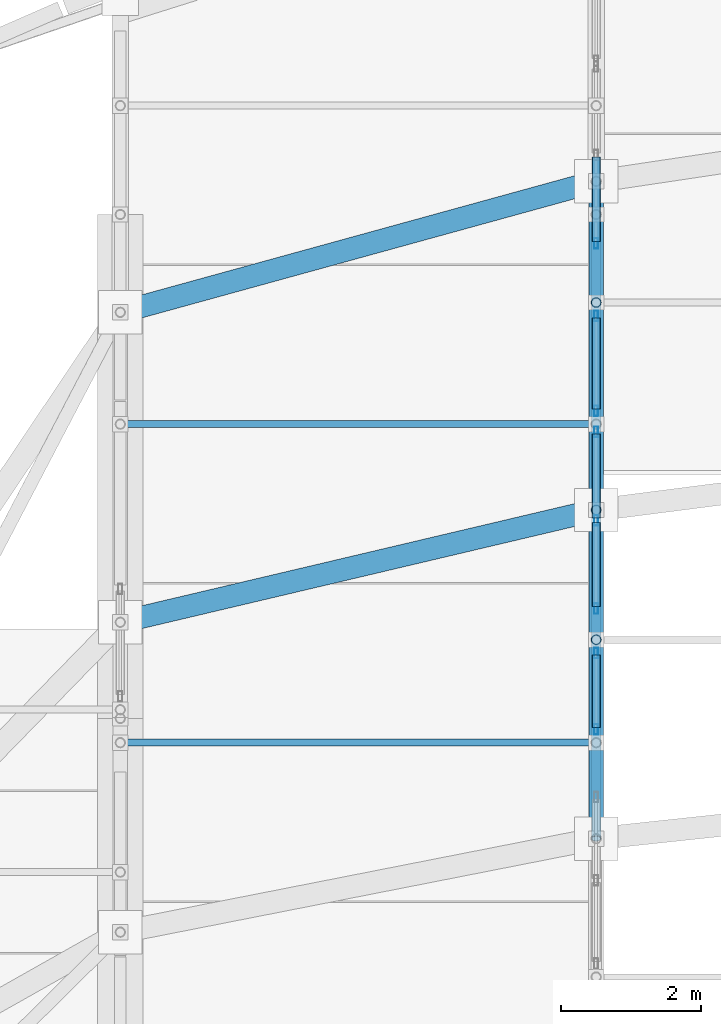
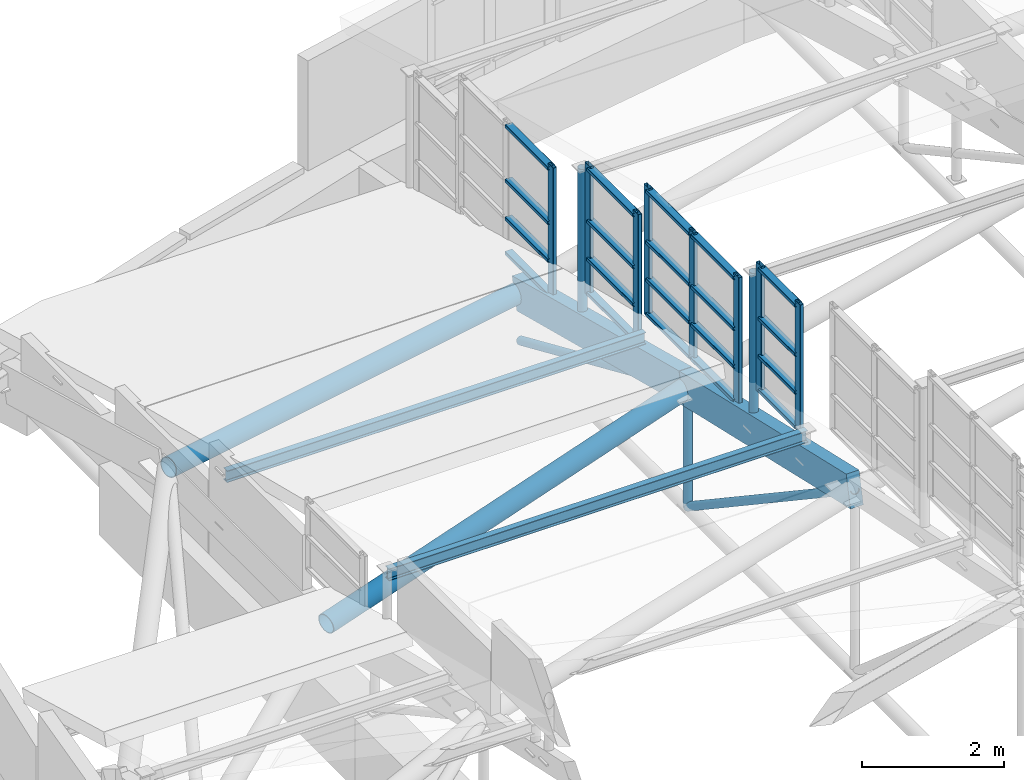
# One storey, part 87 of 188: 39 members, 4 elements without a shape of their own.
"""IFC4 building model written with IfcOpenShell, lengths in metres."""

from ifc_helpers import new_model, si_unit, direction, frame, origin, origin_2d, place, context, subcontext, project, spatial, rectangle, hollow_rectangle, hollow_circle, i_section, extrude, material, layer, layer_set, material_profile, profile_set, type_object, element, aggregate, save


model = new_model("IFC4")

# Units and contexts
model_context = context("Model", 3, precision=1e-05, world=origin(), true_north=direction((0.0, 1.0)))
body_context = subcontext(model_context, "Body", "Model", "MODEL_VIEW")
ifc_project = project(units=[si_unit("LENGTHUNIT", "METRE"), si_unit("AREAUNIT", "SQUARE_METRE"), si_unit("VOLUMEUNIT", "CUBIC_METRE"), si_unit("PLANEANGLEUNIT", "RADIAN"), si_unit("MASSUNIT", "GRAM", prefix="KILO")], contexts=[model_context])

# Site, building, storey
site_placement = place(None, origin())
site = spatial("IfcSite", under=ifc_project, at=site_placement, CompositionType="ELEMENT")
building_placement = place(site_placement, origin())
building = spatial("IfcBuilding", under=site, at=building_placement, Name="Kisaragi Civic Commons", CompositionType="ELEMENT")
storey_placement = place(building_placement, frame((0.0, 0.0, 9.60009765625)))
storey = spatial("IfcBuildingStorey", under=building, at=storey_placement, Name="L02", CompositionType="ELEMENT", Elevation=9.60009765625)

# Curtain wall, members
ifc_material_1 = material(Name="Thermally broken anodized aluminium and low-E double glazing", Category="aluminium")
ifc_layer = layer(ifc_material_1, 0.14990234375, Name="Thermally broken anodized aluminium and low-E double glazing", Category="aluminium")
ifc_layer_set = layer_set([ifc_layer], Name="Thermally broken anodized aluminium and low-E double glazing")
curtain_wall_type = type_object("IfcCurtainWallType", Name="CW-03", PredefinedType="NOTDEFINED", material=ifc_layer_set)
curtain_wall_1_placement = place(storey_placement, origin())
curtain_wall_1 = element("IfcCurtainWall", 1, at=curtain_wall_1_placement, inside=storey, type_object=curtain_wall_type, Name="L02 curtain wall CW-03 CW-CL-V2-188", PredefinedType="NOTDEFINED")
ifc_material_profile_1 = material_profile(ifc_material_1, hollow_rectangle(XDim=0.06005859375, YDim=0.14990234375, WallThickness=0.00390625, InnerFilletRadius=0.00390625, OuterFilletRadius=0.008056640625, at=origin_2d()), Name="CWM-60x150x4", Category="aluminium")
ifc_profile_set_1 = profile_set([ifc_material_profile_1], Name="Thermally broken anodized aluminium and low-E double glazing")
member_type_1 = type_object("IfcMemberType", Name="CWM-01", PredefinedType="MULLION", material=ifc_profile_set_1)
member_1_placement = place(storey_placement, frame((13.60009765625, 104.242431640625, 2.503173828125), z_axis=(0.0, 0.0, 1.0), x_axis=(-1.0, 0.0, 0.0)))
member_1 = element("IfcMember", 2, at=member_1_placement, type_object=member_type_1, Name="CW-03 mullion 1", PredefinedType="MULLION", context=body_context, shape_type="SweptSolid", body=[
    extrude(hollow_rectangle(XDim=0.06005859375, YDim=0.14990234375, WallThickness=0.00390625, InnerFilletRadius=0.00390625, OuterFilletRadius=0.008056640625, at=origin_2d()), origin(), (0.0, 0.0, 1.0), 2.206787109375),
])
member_2_placement = place(storey_placement, frame((13.60009765625, 105.333251953125, 2.503173828125), z_axis=(0.0, 0.0, 1.0), x_axis=(-1.0, 0.0, 0.0)))
member_2 = element("IfcMember", 3, at=member_2_placement, type_object=member_type_1, Name="CW-03 mullion 2", PredefinedType="MULLION", context=body_context, shape_type="SweptSolid", body=[
    extrude(hollow_rectangle(XDim=0.06005859375, YDim=0.14990234375, WallThickness=0.00390625, InnerFilletRadius=0.00390625, OuterFilletRadius=0.008056640625, at=origin_2d()), origin(), (0.0, 0.0, 1.0), 2.206787109375),
])

curtain_wall_2_placement = place(storey_placement, origin())
curtain_wall_2 = element("IfcCurtainWall", 4, at=curtain_wall_2_placement, inside=storey, type_object=curtain_wall_type, Name="L02 curtain wall CW-03 CW-CL-V2-189", PredefinedType="NOTDEFINED")
member_3_placement = place(storey_placement, frame((13.60009765625, 105.9677734375, 1.899658203125), z_axis=(0.0, 0.0, 1.0), x_axis=(-1.0, 0.0, 0.0)))
member_3 = element("IfcMember", 5, at=member_3_placement, type_object=member_type_1, Name="CW-03 mullion 1", PredefinedType="MULLION", context=body_context, shape_type="SweptSolid", body=[
    extrude(hollow_rectangle(XDim=0.06005859375, YDim=0.14990234375, WallThickness=0.00390625, InnerFilletRadius=0.00390625, OuterFilletRadius=0.008056640625, at=origin_2d()), origin(), (0.0, 0.0, 1.0), 2.23193359375),
])
member_4_placement = place(storey_placement, frame((13.60009765625, 107.23046875, 1.899658203125), z_axis=(0.0, 0.0, 1.0), x_axis=(-1.0, 0.0, 0.0)))
member_4 = element("IfcMember", 6, at=member_4_placement, type_object=member_type_1, Name="CW-03 mullion 2", PredefinedType="MULLION", context=body_context, shape_type="SweptSolid", body=[
    extrude(hollow_rectangle(XDim=0.06005859375, YDim=0.14990234375, WallThickness=0.00390625, InnerFilletRadius=0.00390625, OuterFilletRadius=0.008056640625, at=origin_2d()), origin(), (0.0, 0.0, 1.0), 2.23193359375),
])
member_5_placement = place(storey_placement, frame((13.60009765625, 108.493408203125, 1.899658203125), z_axis=(0.0, 0.0, 1.0), x_axis=(-1.0, 0.0, 0.0)))
member_5 = element("IfcMember", 7, at=member_5_placement, type_object=member_type_1, Name="CW-03 mullion 3", PredefinedType="MULLION", context=body_context, shape_type="SweptSolid", body=[
    extrude(hollow_rectangle(XDim=0.06005859375, YDim=0.14990234375, WallThickness=0.00390625, InnerFilletRadius=0.00390625, OuterFilletRadius=0.008056640625, at=origin_2d()), origin(), (0.0, 0.0, 1.0), 2.23193359375),
])

curtain_wall_3_placement = place(storey_placement, origin())
curtain_wall_3 = element("IfcCurtainWall", 8, at=curtain_wall_3_placement, inside=storey, type_object=curtain_wall_type, Name="L02 curtain wall CW-03 CW-CL-V2-190", PredefinedType="NOTDEFINED")
member_6_placement = place(storey_placement, frame((13.60009765625, 108.7939453125, 1.2490234375), z_axis=(0.0, 0.0, 1.0), x_axis=(-1.0, 0.0, 0.0)))
member_6 = element("IfcMember", 9, at=member_6_placement, type_object=member_type_1, Name="CW-03 mullion 1", PredefinedType="MULLION", context=body_context, shape_type="SweptSolid", body=[
    extrude(hollow_rectangle(XDim=0.06005859375, YDim=0.14990234375, WallThickness=0.00390625, InnerFilletRadius=0.00390625, OuterFilletRadius=0.008056640625, at=origin_2d()), origin(), (0.0, 0.0, 1.0), 2.251220703125),
])
member_7_placement = place(storey_placement, frame((13.60009765625, 110.152099609375, 1.2490234375), z_axis=(0.0, 0.0, 1.0), x_axis=(-1.0, 0.0, 0.0)))
member_7 = element("IfcMember", 10, at=member_7_placement, type_object=member_type_1, Name="CW-03 mullion 2", PredefinedType="MULLION", context=body_context, shape_type="SweptSolid", body=[
    extrude(hollow_rectangle(XDim=0.06005859375, YDim=0.14990234375, WallThickness=0.00390625, InnerFilletRadius=0.00390625, OuterFilletRadius=0.008056640625, at=origin_2d()), origin(), (0.0, 0.0, 1.0), 2.251220703125),
])

# Curtain wall, member
curtain_wall_4_placement = place(storey_placement, origin())
curtain_wall_4 = element("IfcCurtainWall", 11, at=curtain_wall_4_placement, inside=storey, type_object=curtain_wall_type, Name="L02 curtain wall CW-03 CW-CL-V2-191", PredefinedType="NOTDEFINED")
member_8_placement = place(storey_placement, frame((13.60009765625, 111.18701171875, 0.554443359375), z_axis=(0.0, 0.0, 1.0), x_axis=(-1.0, 0.0, 0.0)))
member_8 = element("IfcMember", 12, at=member_8_placement, type_object=member_type_1, Name="CW-03 mullion 1", PredefinedType="MULLION", context=body_context, shape_type="SweptSolid", body=[
    extrude(hollow_rectangle(XDim=0.06005859375, YDim=0.14990234375, WallThickness=0.00390625, InnerFilletRadius=0.00390625, OuterFilletRadius=0.008056640625, at=origin_2d()), origin(), (0.0, 0.0, 1.0), 2.295166015625),
])

# Member
ifc_material_profile_2 = material_profile(ifc_material_1, hollow_rectangle(XDim=0.1201171875, YDim=0.06005859375, WallThickness=0.00390625, InnerFilletRadius=0.00390625, OuterFilletRadius=0.008056640625, at=origin_2d()), Name="CWT-60x120x4", Category="aluminium")
ifc_profile_set_2 = profile_set([ifc_material_profile_2], Name="Thermally broken anodized aluminium and low-E double glazing")
member_type_2 = type_object("IfcMemberType", Name="CWT-01", PredefinedType="USERDEFINED", material=ifc_profile_set_2)
member_9_placement = place(storey_placement, frame((13.60009765625, 104.2724609375, 2.563232421875), z_axis=(0.0, 1.0, 0.0), x_axis=(-1.0, 0.0, 0.0)))
member_9 = element("IfcMember", 13, at=member_9_placement, type_object=member_type_2, Name="CW-03 transom 1.1", ObjectType="TRANSOM", PredefinedType="USERDEFINED", context=body_context, shape_type="SweptSolid", body=[
    extrude(hollow_rectangle(XDim=0.1201171875, YDim=0.06005859375, WallThickness=0.00390625, InnerFilletRadius=0.00390625, OuterFilletRadius=0.008056640625, at=origin_2d()), origin(), (0.0, 0.0, 1.0), 1.03076171875),
])

member_10_placement = place(storey_placement, frame((13.60009765625, 104.2724609375, 3.1533203125), z_axis=(0.0, 1.0, 0.0), x_axis=(-1.0, 0.0, 0.0)))
member_10 = element("IfcMember", 14, at=member_10_placement, type_object=member_type_2, Name="CW-03 transom 1.2", ObjectType="TRANSOM", PredefinedType="USERDEFINED", context=body_context, shape_type="SweptSolid", body=[
    extrude(hollow_rectangle(XDim=0.1201171875, YDim=0.06005859375, WallThickness=0.00390625, InnerFilletRadius=0.00390625, OuterFilletRadius=0.008056640625, at=origin_2d()), origin(), (0.0, 0.0, 1.0), 1.03076171875),
])

member_11_placement = place(storey_placement, frame((13.60009765625, 104.2724609375, 3.80322265625), z_axis=(0.0, 1.0, 0.0), x_axis=(-1.0, 0.0, 0.0)))
member_11 = element("IfcMember", 15, at=member_11_placement, type_object=member_type_2, Name="CW-03 transom 1.3", ObjectType="TRANSOM", PredefinedType="USERDEFINED", context=body_context, shape_type="SweptSolid", body=[
    extrude(hollow_rectangle(XDim=0.1201171875, YDim=0.06005859375, WallThickness=0.00390625, InnerFilletRadius=0.00390625, OuterFilletRadius=0.008056640625, at=origin_2d()), origin(), (0.0, 0.0, 1.0), 1.03076171875),
])

member_12_placement = place(storey_placement, frame((13.60009765625, 104.2724609375, 4.64990234375), z_axis=(0.0, 1.0, 0.0), x_axis=(-1.0, 0.0, 0.0)))
member_12 = element("IfcMember", 16, at=member_12_placement, type_object=member_type_2, Name="CW-03 transom 1.4", ObjectType="TRANSOM", PredefinedType="USERDEFINED", context=body_context, shape_type="SweptSolid", body=[
    extrude(hollow_rectangle(XDim=0.1201171875, YDim=0.06005859375, WallThickness=0.00390625, InnerFilletRadius=0.00390625, OuterFilletRadius=0.008056640625, at=origin_2d()), origin(), (0.0, 0.0, 1.0), 1.03076171875),
])

aggregate(curtain_wall_1, [member_1, member_2, member_9, member_10, member_11, member_12])

member_13_placement = place(storey_placement, frame((13.60009765625, 105.997802734375, 1.959716796875), z_axis=(0.0, 1.0, 0.0), x_axis=(-1.0, 0.0, 0.0)))
member_13 = element("IfcMember", 17, at=member_13_placement, type_object=member_type_2, Name="CW-03 transom 1.1", ObjectType="TRANSOM", PredefinedType="USERDEFINED", context=body_context, shape_type="SweptSolid", body=[
    extrude(hollow_rectangle(XDim=0.1201171875, YDim=0.06005859375, WallThickness=0.00390625, InnerFilletRadius=0.00390625, OuterFilletRadius=0.008056640625, at=origin_2d()), origin(), (0.0, 0.0, 1.0), 1.20263671875),
])

member_14_placement = place(storey_placement, frame((13.60009765625, 105.997802734375, 2.5498046875), z_axis=(0.0, 1.0, 0.0), x_axis=(-1.0, 0.0, 0.0)))
member_14 = element("IfcMember", 18, at=member_14_placement, type_object=member_type_2, Name="CW-03 transom 1.2", ObjectType="TRANSOM", PredefinedType="USERDEFINED", context=body_context, shape_type="SweptSolid", body=[
    extrude(hollow_rectangle(XDim=0.1201171875, YDim=0.06005859375, WallThickness=0.00390625, InnerFilletRadius=0.00390625, OuterFilletRadius=0.008056640625, at=origin_2d()), origin(), (0.0, 0.0, 1.0), 1.20263671875),
])

member_15_placement = place(storey_placement, frame((13.60009765625, 105.997802734375, 3.19970703125), z_axis=(0.0, 1.0, 0.0), x_axis=(-1.0, 0.0, 0.0)))
member_15 = element("IfcMember", 19, at=member_15_placement, type_object=member_type_2, Name="CW-03 transom 1.3", ObjectType="TRANSOM", PredefinedType="USERDEFINED", context=body_context, shape_type="SweptSolid", body=[
    extrude(hollow_rectangle(XDim=0.1201171875, YDim=0.06005859375, WallThickness=0.00390625, InnerFilletRadius=0.00390625, OuterFilletRadius=0.008056640625, at=origin_2d()), origin(), (0.0, 0.0, 1.0), 1.20263671875),
])

member_16_placement = place(storey_placement, frame((13.60009765625, 105.997802734375, 4.071533203125), z_axis=(0.0, 1.0, 0.0), x_axis=(-1.0, 0.0, 0.0)))
member_16 = element("IfcMember", 20, at=member_16_placement, type_object=member_type_2, Name="CW-03 transom 1.4", ObjectType="TRANSOM", PredefinedType="USERDEFINED", context=body_context, shape_type="SweptSolid", body=[
    extrude(hollow_rectangle(XDim=0.1201171875, YDim=0.06005859375, WallThickness=0.00390625, InnerFilletRadius=0.00390625, OuterFilletRadius=0.008056640625, at=origin_2d()), origin(), (0.0, 0.0, 1.0), 1.20263671875),
])

member_17_placement = place(storey_placement, frame((13.60009765625, 107.260498046875, 1.959716796875), z_axis=(0.0, 1.0, 0.0), x_axis=(-1.0, 0.0, 0.0)))
member_17 = element("IfcMember", 21, at=member_17_placement, type_object=member_type_2, Name="CW-03 transom 2.1", ObjectType="TRANSOM", PredefinedType="USERDEFINED", context=body_context, shape_type="SweptSolid", body=[
    extrude(hollow_rectangle(XDim=0.1201171875, YDim=0.06005859375, WallThickness=0.00390625, InnerFilletRadius=0.00390625, OuterFilletRadius=0.008056640625, at=origin_2d()), origin(), (0.0, 0.0, 1.0), 1.202880859375),
])

member_18_placement = place(storey_placement, frame((13.60009765625, 107.260498046875, 2.5498046875), z_axis=(0.0, 1.0, 0.0), x_axis=(-1.0, 0.0, 0.0)))
member_18 = element("IfcMember", 22, at=member_18_placement, type_object=member_type_2, Name="CW-03 transom 2.2", ObjectType="TRANSOM", PredefinedType="USERDEFINED", context=body_context, shape_type="SweptSolid", body=[
    extrude(hollow_rectangle(XDim=0.1201171875, YDim=0.06005859375, WallThickness=0.00390625, InnerFilletRadius=0.00390625, OuterFilletRadius=0.008056640625, at=origin_2d()), origin(), (0.0, 0.0, 1.0), 1.202880859375),
])

member_19_placement = place(storey_placement, frame((13.60009765625, 107.260498046875, 3.19970703125), z_axis=(0.0, 1.0, 0.0), x_axis=(-1.0, 0.0, 0.0)))
member_19 = element("IfcMember", 23, at=member_19_placement, type_object=member_type_2, Name="CW-03 transom 2.3", ObjectType="TRANSOM", PredefinedType="USERDEFINED", context=body_context, shape_type="SweptSolid", body=[
    extrude(hollow_rectangle(XDim=0.1201171875, YDim=0.06005859375, WallThickness=0.00390625, InnerFilletRadius=0.00390625, OuterFilletRadius=0.008056640625, at=origin_2d()), origin(), (0.0, 0.0, 1.0), 1.202880859375),
])

member_20_placement = place(storey_placement, frame((13.60009765625, 107.260498046875, 4.071533203125), z_axis=(0.0, 1.0, 0.0), x_axis=(-1.0, 0.0, 0.0)))
member_20 = element("IfcMember", 24, at=member_20_placement, type_object=member_type_2, Name="CW-03 transom 2.4", ObjectType="TRANSOM", PredefinedType="USERDEFINED", context=body_context, shape_type="SweptSolid", body=[
    extrude(hollow_rectangle(XDim=0.1201171875, YDim=0.06005859375, WallThickness=0.00390625, InnerFilletRadius=0.00390625, OuterFilletRadius=0.008056640625, at=origin_2d()), origin(), (0.0, 0.0, 1.0), 1.202880859375),
])

aggregate(curtain_wall_2, [member_3, member_4, member_5, member_13, member_14, member_15, member_16, member_17, member_18, member_19, member_20])

member_21_placement = place(storey_placement, frame((13.60009765625, 108.823974609375, 1.30908203125), z_axis=(0.0, 1.0, 0.0), x_axis=(-1.0, 0.0, 0.0)))
member_21 = element("IfcMember", 25, at=member_21_placement, type_object=member_type_2, Name="CW-03 transom 1.1", ObjectType="TRANSOM", PredefinedType="USERDEFINED", context=body_context, shape_type="SweptSolid", body=[
    extrude(hollow_rectangle(XDim=0.1201171875, YDim=0.06005859375, WallThickness=0.00390625, InnerFilletRadius=0.00390625, OuterFilletRadius=0.008056640625, at=origin_2d()), origin(), (0.0, 0.0, 1.0), 1.298095703125),
])

member_22_placement = place(storey_placement, frame((13.60009765625, 108.823974609375, 1.899169921875), z_axis=(0.0, 1.0, 0.0), x_axis=(-1.0, 0.0, 0.0)))
member_22 = element("IfcMember", 26, at=member_22_placement, type_object=member_type_2, Name="CW-03 transom 1.2", ObjectType="TRANSOM", PredefinedType="USERDEFINED", context=body_context, shape_type="SweptSolid", body=[
    extrude(hollow_rectangle(XDim=0.1201171875, YDim=0.06005859375, WallThickness=0.00390625, InnerFilletRadius=0.00390625, OuterFilletRadius=0.008056640625, at=origin_2d()), origin(), (0.0, 0.0, 1.0), 1.298095703125),
])

member_23_placement = place(storey_placement, frame((13.60009765625, 108.823974609375, 2.549072265625), z_axis=(0.0, 1.0, 0.0), x_axis=(-1.0, 0.0, 0.0)))
member_23 = element("IfcMember", 27, at=member_23_placement, type_object=member_type_2, Name="CW-03 transom 1.3", ObjectType="TRANSOM", PredefinedType="USERDEFINED", context=body_context, shape_type="SweptSolid", body=[
    extrude(hollow_rectangle(XDim=0.1201171875, YDim=0.06005859375, WallThickness=0.00390625, InnerFilletRadius=0.00390625, OuterFilletRadius=0.008056640625, at=origin_2d()), origin(), (0.0, 0.0, 1.0), 1.298095703125),
])

member_24_placement = place(storey_placement, frame((13.60009765625, 108.823974609375, 3.440185546875), z_axis=(0.0, 1.0, 0.0), x_axis=(-1.0, 0.0, 0.0)))
member_24 = element("IfcMember", 28, at=member_24_placement, type_object=member_type_2, Name="CW-03 transom 1.4", ObjectType="TRANSOM", PredefinedType="USERDEFINED", context=body_context, shape_type="SweptSolid", body=[
    extrude(hollow_rectangle(XDim=0.1201171875, YDim=0.06005859375, WallThickness=0.00390625, InnerFilletRadius=0.00390625, OuterFilletRadius=0.008056640625, at=origin_2d()), origin(), (0.0, 0.0, 1.0), 1.298095703125),
])

aggregate(curtain_wall_3, [member_6, member_7, member_21, member_22, member_23, member_24])

member_25_placement = place(storey_placement, frame((13.60009765625, 111.216796875, 0.614501953125), z_axis=(0.0, 1.0, 0.0), x_axis=(-1.0, 0.0, 0.0)))
member_25 = element("IfcMember", 29, at=member_25_placement, type_object=member_type_2, Name="CW-03 transom 1.1", ObjectType="TRANSOM", PredefinedType="USERDEFINED", context=body_context, shape_type="SweptSolid", body=[
    extrude(hollow_rectangle(XDim=0.1201171875, YDim=0.06005859375, WallThickness=0.00390625, InnerFilletRadius=0.00390625, OuterFilletRadius=0.008056640625, at=origin_2d()), origin(), (0.0, 0.0, 1.0), 1.202880859375),
])

member_26_placement = place(storey_placement, frame((13.60009765625, 111.216796875, 1.20458984375), z_axis=(0.0, 1.0, 0.0), x_axis=(-1.0, 0.0, 0.0)))
member_26 = element("IfcMember", 30, at=member_26_placement, type_object=member_type_2, Name="CW-03 transom 1.2", ObjectType="TRANSOM", PredefinedType="USERDEFINED", context=body_context, shape_type="SweptSolid", body=[
    extrude(hollow_rectangle(XDim=0.1201171875, YDim=0.06005859375, WallThickness=0.00390625, InnerFilletRadius=0.00390625, OuterFilletRadius=0.008056640625, at=origin_2d()), origin(), (0.0, 0.0, 1.0), 1.202880859375),
])

member_27_placement = place(storey_placement, frame((13.60009765625, 111.216796875, 1.8544921875), z_axis=(0.0, 1.0, 0.0), x_axis=(-1.0, 0.0, 0.0)))
member_27 = element("IfcMember", 31, at=member_27_placement, type_object=member_type_2, Name="CW-03 transom 1.3", ObjectType="TRANSOM", PredefinedType="USERDEFINED", context=body_context, shape_type="SweptSolid", body=[
    extrude(hollow_rectangle(XDim=0.1201171875, YDim=0.06005859375, WallThickness=0.00390625, InnerFilletRadius=0.00390625, OuterFilletRadius=0.008056640625, at=origin_2d()), origin(), (0.0, 0.0, 1.0), 1.202880859375),
])

member_28_placement = place(storey_placement, frame((13.60009765625, 111.216796875, 2.78955078125), z_axis=(0.0, 1.0, 0.0), x_axis=(-1.0, 0.0, 0.0)))
member_28 = element("IfcMember", 32, at=member_28_placement, type_object=member_type_2, Name="CW-03 transom 1.4", ObjectType="TRANSOM", PredefinedType="USERDEFINED", context=body_context, shape_type="SweptSolid", body=[
    extrude(hollow_rectangle(XDim=0.1201171875, YDim=0.06005859375, WallThickness=0.00390625, InnerFilletRadius=0.00390625, OuterFilletRadius=0.008056640625, at=origin_2d()), origin(), (0.0, 0.0, 1.0), 1.202880859375),
])

aggregate(curtain_wall_4, [member_8, member_25, member_26, member_27, member_28])

# Members
ifc_material_2 = material(Name="Steel SN490 (SN490B)", Category="steel")
ifc_material_profile_3 = material_profile(ifc_material_2, hollow_circle(Radius=0.1591796875, WallThickness=0.01025390625, at=origin_2d()), Name="CHS-318.5x10.3", Category="steel")
ifc_profile_set_3 = profile_set([ifc_material_profile_3], Name="Steel SN490 (SN490B)")
member_type_3 = type_object("IfcMemberType", Name="GC-03", PredefinedType="CHORD", material=ifc_profile_set_3)
member_29_placement = place(storey_placement, frame((6.800048828125, 105.773193359375, 0.641357421875), z_axis=(0.968150734902, 0.228438108275, 0.10247041132), x_axis=(-0.229646957728, 0.973273997807, 0.0)))
element("IfcMember", 33, at=member_29_placement, inside=storey, type_object=member_type_3, Name="V2 wave gridshell chord GC-03 13", PredefinedType="CHORD", context=body_context, shape_type="SweptSolid", body=[
    extrude(hollow_circle(Radius=0.1591796875, WallThickness=0.01025390625, at=origin_2d()), origin(), (0.0, 0.0, 1.0), 7.023681640625),
])
member_30_placement = place(storey_placement, frame((6.800048828125, 110.2021484375, 0.641357421875), z_axis=(0.961793635626, 0.264749642923, -0.069718211695), x_axis=(-0.265395422954, 0.964139652475, 0.0)))
element("IfcMember", 34, at=member_30_placement, inside=storey, type_object=member_type_3, Name="V2 wave gridshell chord GC-03 14", PredefinedType="CHORD", context=body_context, shape_type="SweptSolid", body=[
    extrude(hollow_circle(Radius=0.1591796875, WallThickness=0.01025390625, at=origin_2d()), origin(), (0.0, 0.0, 1.0), 7.070068359375),
])
ifc_material_3 = material(Name="Glulam E120-F330", Category="wood")
ifc_material_profile_4 = material_profile(ifc_material_3, rectangle(XDim=0.2099609375, YDim=0.5400390625, at=origin_2d()), Name="GL-210x540", Category="wood")
ifc_profile_set_4 = profile_set([ifc_material_profile_4], Name="Glulam E120-F330")
member_type_4 = type_object("IfcMemberType", Name="GR-04", PredefinedType="RAFTER", material=ifc_profile_set_4)
member_31_placement = place(storey_placement, frame((13.60009765625, 102.681396484375, 2.439697265625), z_axis=(0.0, 0.974624645869, -0.223845481672), x_axis=(-1.0, 0.0, 0.0)))
element("IfcMember", 35, at=member_31_placement, inside=storey, type_object=member_type_4, Name="V2 glulam arch rib GR-04 22", PredefinedType="RAFTER", context=body_context, shape_type="SweptSolid", body=[
    extrude(rectangle(XDim=0.2099609375, YDim=0.5400390625, at=origin_2d()), origin(), (0.0, 0.0, 1.0), 4.818603515625),
])
member_32_placement = place(storey_placement, frame((13.60009765625, 107.377685546875, 1.361083984375), z_axis=(0.0, 0.968242349882, -0.250013503424), x_axis=(-1.0, 0.0, 0.0)))
element("IfcMember", 36, at=member_32_placement, inside=storey, type_object=member_type_4, Name="V2 glulam arch rib GR-04 23", PredefinedType="RAFTER", context=body_context, shape_type="SweptSolid", body=[
    extrude(rectangle(XDim=0.2099609375, YDim=0.5400390625, at=origin_2d()), origin(), (0.0, 0.0, 1.0), 4.850341796875),
])
ifc_material_4 = material(Name="Steel SN400 (SN400B)", Category="steel")
ifc_material_profile_5 = material_profile(ifc_material_4, i_section(OverallWidth=0.10009765625, OverallDepth=0.199951171875, WebThickness=0.005615234375, FlangeThickness=0.008056640625, FilletRadius=0.008056640625, at=origin_2d()), Name="H-200x100x5.5x8", Category="steel")
ifc_profile_set_5 = profile_set([ifc_material_profile_5], Name="Steel SN400 (SN400B)")
member_type_5 = type_object("IfcMemberType", Name="PR-02", PredefinedType="PURLIN", material=ifc_profile_set_5)
for number, where, z_axis, x_axis, name in (
    (37, (6.800048828125, 104.052490234375, 2.54931640625), (1.0, 0.0, 0.0), (0.0, 1.0, 0.0), "V2 wave vault steel purlin 14"),
    (38, (6.800048828125, 108.60400390625, 1.474609375), (1.0, 0.0, 0.0), (0.0, 1.0, 0.0), "V2 wave vault steel purlin 15"),
):
    element("IfcMember", number, at=place(storey_placement, frame(where, z_axis=z_axis, x_axis=x_axis)), inside=storey, type_object=member_type_5, Name=name, PredefinedType="PURLIN", context=body_context, shape_type="SweptSolid", body=[
        extrude(i_section(OverallWidth=0.10009765625, OverallDepth=0.199951171875, WebThickness=0.005615234375, FlangeThickness=0.008056640625, FilletRadius=0.008056640625, at=origin_2d()), origin(), (0.0, 0.0, 1.0), 6.800048828125),
    ])
ifc_material_profile_6 = material_profile(ifc_material_2, hollow_circle(Radius=0.06982421875, WallThickness=0.006103515625, at=origin_2d()), Name="CHS-139.8x6.0", Category="steel")
ifc_profile_set_6 = profile_set([ifc_material_profile_6], Name="Steel SN490 (SN490B)")
member_type_6 = type_object("IfcMemberType", Name="ST-H1", PredefinedType="STRUT", material=ifc_profile_set_6)
member_33_placement = place(storey_placement, frame((13.60009765625, 107.377685546875, -0.69921875), z_axis=(0.0, 0.0, 1.0), x_axis=(1.0, 0.0, 0.0)))
element("IfcMember", 39, at=member_33_placement, inside=storey, type_object=member_type_6, Name="V2 arch tie hanger strut 36", PredefinedType="STRUT", context=body_context, shape_type="SweptSolid", body=[
    extrude(hollow_circle(Radius=0.06982421875, WallThickness=0.006103515625, at=origin_2d()), origin(), (0.0, 0.0, 1.0), 2.060302734375),
])
member_34_placement = place(storey_placement, frame((13.60009765625, 107.377685546875, -0.69921875), z_axis=(0.0, -0.831391425475, 0.555687230055), x_axis=(1.0, 0.0, 0.0)))
element("IfcMember", 40, at=member_34_placement, inside=storey, type_object=member_type_6, Name="V2 tied arch truss diagonal web strut 42", PredefinedType="STRUT", context=body_context, shape_type="SweptSolid", body=[
    extrude(hollow_circle(Radius=0.06982421875, WallThickness=0.006103515625, at=origin_2d()), origin(), (0.0, 0.0, 1.0), 5.648681640625),
])
member_35_placement = place(storey_placement, frame((13.60009765625, 112.073974609375, -0.69921875), z_axis=(0.0, -0.915750417267, 0.401747648748), x_axis=(1.0, 0.0, 0.0)))
element("IfcMember", 41, at=member_35_placement, inside=storey, type_object=member_type_6, Name="V2 tied arch truss diagonal web strut 43", PredefinedType="STRUT", context=body_context, shape_type="SweptSolid", body=[
    extrude(hollow_circle(Radius=0.06982421875, WallThickness=0.006103515625, at=origin_2d()), origin(), (0.0, 0.0, 1.0), 5.12841796875),
])
member_36_placement = place(storey_placement, frame((13.60009765625, 105.523193359375, 1.787109375), z_axis=(0.0, 0.0, 1.0), x_axis=(1.0, 0.0, 0.0)))
element("IfcMember", 42, at=member_36_placement, inside=storey, type_object=member_type_6, Name="V2 clerestory monitor horizontal tie strut 3.2.6", PredefinedType="STRUT", context=body_context, shape_type="SweptSolid", body=[
    extrude(hollow_circle(Radius=0.06982421875, WallThickness=0.006103515625, at=origin_2d()), origin(), (0.0, 0.0, 1.0), 2.68310546875),
])
member_37_placement = place(storey_placement, frame((13.60009765625, 110.342041015625, 0.595703125), z_axis=(0.0, 0.0, 1.0), x_axis=(1.0, 0.0, 0.0)))
element("IfcMember", 43, at=member_37_placement, inside=storey, type_object=member_type_6, Name="V2 clerestory monitor horizontal tie strut 3.2.7", PredefinedType="STRUT", context=body_context, shape_type="SweptSolid", body=[
    extrude(hollow_circle(Radius=0.06982421875, WallThickness=0.006103515625, at=origin_2d()), origin(), (0.0, 0.0, 1.0), 2.736572265625),
])

save(model, "model.ifc")
